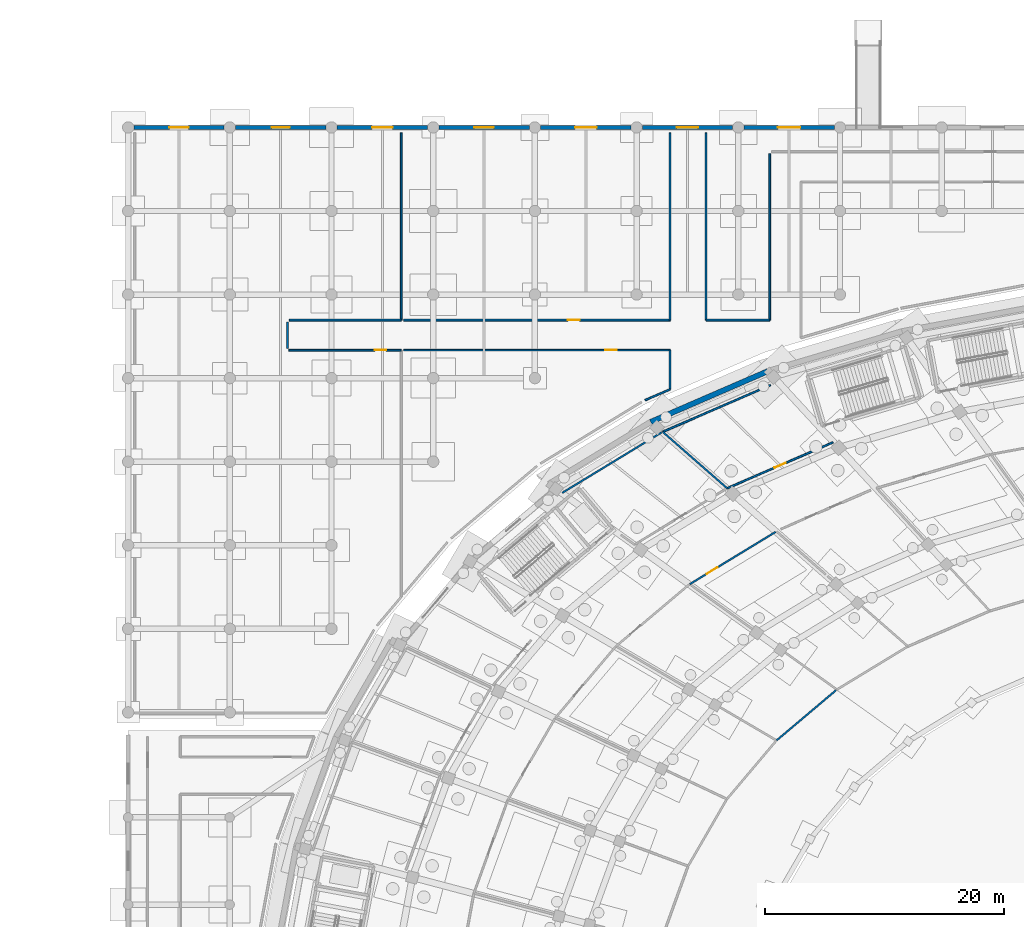
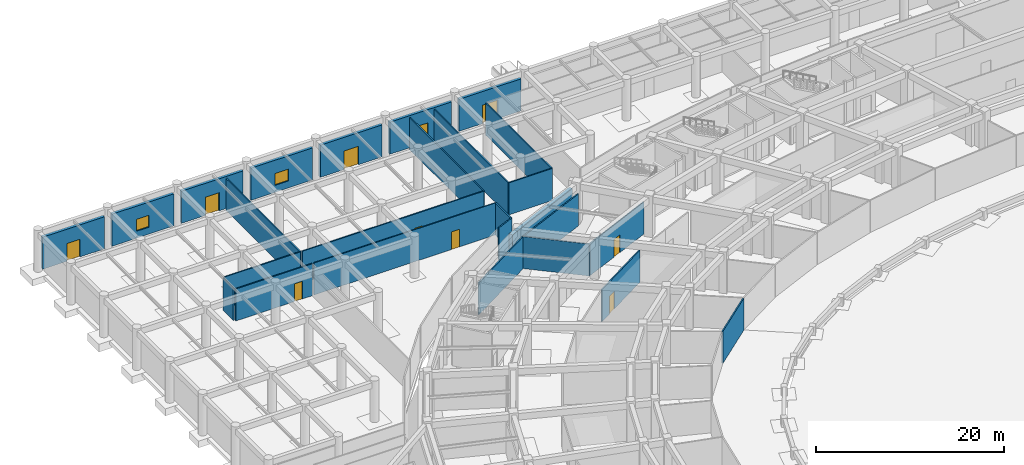
# One storey, part 57 of 88: 26 walls, 9 doors, 3 windows, 12 openings.
"""IFC4 building model written with IfcOpenShell, lengths in metres."""

from ifc_helpers import new_model, si_unit, direction, frame, frame_2d, origin, place, context, subcontext, project, spatial, rectangle, extrude, material, layer, layer_set, type_object, element, fill, save


model = new_model("IFC4")

# Units and contexts
model_context = context("Model", 3, precision=1e-05, world=origin(), true_north=direction((0.0, 1.0)))
body_context = subcontext(model_context, "Body", "Model", "MODEL_VIEW")
ifc_project = project(units=[si_unit("LENGTHUNIT", "METRE"), si_unit("AREAUNIT", "SQUARE_METRE"), si_unit("VOLUMEUNIT", "CUBIC_METRE"), si_unit("PLANEANGLEUNIT", "RADIAN"), si_unit("MASSUNIT", "GRAM", prefix="KILO")], contexts=[model_context])

# Site, building, storey
site_placement = place(None, origin())
site = spatial("IfcSite", under=ifc_project, at=site_placement, CompositionType="ELEMENT")
building_placement = place(site_placement, origin())
building = spatial("IfcBuilding", under=site, at=building_placement, Name="Mphavela Belvedere Stadium", CompositionType="ELEMENT")
storey_placement = place(building_placement, origin())
storey = spatial("IfcBuildingStorey", under=building, at=storey_placement, Name="L00", CompositionType="ELEMENT", Elevation=0.0)

# Wall, opening, door
ifc_material_1 = material(Name="Honed ashlar limestone masonry", Category="masonry")
ifc_layer_1 = layer(ifc_material_1, 0.35009765625)
ifc_layer_set_1 = layer_set([ifc_layer_1], Name="Honed ashlar limestone masonry")
wall_type_1 = type_object("IfcWallType", Name="WAL-EXT-ASHLAR-350", PredefinedType="STANDARD", material=ifc_layer_set_1)
wall_1_placement = place(storey_placement, frame((0.472900390625, 174.0, 0.0), z_axis=(0.0, 0.0, 1.0), x_axis=(1.0, 0.0, 0.0)))
wall_1 = element("IfcWall", 1, at=wall_1_placement, inside=storey, type_object=wall_type_1, Name="North Mast and Ceremonial End Forecourt outer facade bay L00-01", PredefinedType="STANDARD", context=body_context, shape_type="SweptSolid", body=[
    extrude(rectangle(XDim=7.572998046875, YDim=0.35009765625, at=frame_2d((3.78662109375, 0.0))), origin(), (0.0, 0.0, 1.0), 4.159912109375),
])
opening_1_placement = place(wall_1_placement, frame((2.986572265625, 0.0, 0.0)))
opening_1 = element("IfcOpeningElement", 2, at=opening_1_placement, cuts=wall_1, Name="Opening ED-039", PredefinedType="OPENING", context=body_context, shape_type="SweptSolid", body=[
    extrude(rectangle(XDim=1.60009765625, YDim=2.300048828125, at=frame_2d((0.800048828125, 1.14990234375))), frame((0.0, 0.18505859375, 0.0), z_axis=(0.0, -1.0, 0.0), x_axis=(1.0, 0.0, 0.0)), (0.0, 0.0, 1.0), 0.3701171875),
])
ifc_material_2 = material(Name="Glazed bronze-anodised steel exit doorset", Category="steel")
door_type_1 = type_object("IfcDoorType", Name="DR-EXT-07", OperationType="NOTDEFINED", PredefinedType="DOOR", material=ifc_material_2)
door_1_placement = place(opening_1_placement, origin())
door_1 = element("IfcDoor", 3, at=door_1_placement, inside=storey, type_object=door_type_1, Name="North Mast and Ceremonial End Forecourt ceremonial exit doorset ED-039", OperationType="DOUBLE_DOOR_SINGLE_SWING", OverallHeight=2.300048828125, OverallWidth=1.60009765625, PredefinedType="DOOR", context=body_context, shape_type="SweptSolid", body=[
    extrude(rectangle(XDim=1.60009765625, YDim=2.300048828125, at=frame_2d((0.800048828125, 1.14990234375))), frame((0.0, 0.02490234375, 0.0), z_axis=(0.0, -1.0, 0.0), x_axis=(1.0, 0.0, 0.0)), (0.0, 0.0, 1.0), 0.050048828125),
])
fill(opening_1, door_1)

# Wall, opening, window
wall_2_placement = place(storey_placement, frame((8.991943359375, 174.0, 0.0), z_axis=(0.0, 0.0, 1.0), x_axis=(1.0, 0.0, 0.0)))
wall_2 = element("IfcWall", 4, at=wall_2_placement, inside=storey, type_object=wall_type_1, Name="North Mast and Ceremonial End Forecourt outer facade bay L00-02", PredefinedType="STANDARD", context=body_context, shape_type="SweptSolid", body=[
    extrude(rectangle(XDim=7.572021484375, YDim=0.35009765625, at=frame_2d((3.7861328125, 0.0))), origin(), (0.0, 0.0, 1.0), 4.159912109375),
])
opening_2_placement = place(wall_2_placement, frame((3.02587890625, 0.0, 0.89990234375)))
opening_2 = element("IfcOpeningElement", 5, at=opening_2_placement, cuts=wall_2, Name="Opening W-136", PredefinedType="OPENING", context=body_context, shape_type="SweptSolid", body=[
    extrude(rectangle(XDim=1.52001953125, YDim=1.550048828125, at=frame_2d((0.760009765625, 0.77490234375))), frame((0.0, 0.18505859375, 0.0), z_axis=(0.0, -1.0, 0.0), x_axis=(1.0, 0.0, 0.0)), (0.0, 0.0, 1.0), 0.3701171875),
])
ifc_material_3 = material(Name="Bronze-anodised thermally broken aluminium window", Category="aluminium")
window_type_1 = type_object("IfcWindowType", Name="WIN-EXT-04", PartitioningType="SINGLE_PANEL", PredefinedType="WINDOW", material=ifc_material_3)
window_1_placement = place(opening_2_placement, origin())
window_1 = element("IfcWindow", 6, at=window_1_placement, inside=storey, type_object=window_type_1, Name="North Mast and Ceremonial End Forecourt classical window W-136", OverallHeight=1.550048828125, OverallWidth=1.52001953125, PartitioningType="SINGLE_PANEL", PredefinedType="WINDOW", context=body_context, shape_type="SweptSolid", body=[
    extrude(rectangle(XDim=1.52001953125, YDim=1.550048828125, at=frame_2d((0.760009765625, 0.77490234375))), frame((0.0, 0.030029296875, 0.0), z_axis=(0.0, -1.0, 0.0), x_axis=(1.0, 0.0, 0.0)), (0.0, 0.0, 1.0), 0.06005859375),
])
fill(opening_2, window_1)

# Wall, opening, door
wall_3_placement = place(storey_placement, frame((17.510009765625, 174.0, 0.0), z_axis=(0.0, 0.0, 1.0), x_axis=(1.0, 0.0, 0.0)))
wall_3 = element("IfcWall", 7, at=wall_3_placement, inside=storey, type_object=wall_type_1, Name="North Mast and Ceremonial End Forecourt outer facade bay L00-03", PredefinedType="STANDARD", context=body_context, shape_type="SweptSolid", body=[
    extrude(rectangle(XDim=7.572998046875, YDim=0.35009765625, at=frame_2d((3.78662109375, 0.0))), origin(), (0.0, 0.0, 1.0), 4.159912109375),
])
opening_3_placement = place(wall_3_placement, frame((2.9365234375, 0.0, 0.0)))
opening_3 = element("IfcOpeningElement", 8, at=opening_3_placement, cuts=wall_3, Name="Opening ED-040", PredefinedType="OPENING", context=body_context, shape_type="SweptSolid", body=[
    extrude(rectangle(XDim=1.699951171875, YDim=2.35009765625, at=frame_2d((0.85009765625, 1.175048828125))), frame((0.0, 0.18505859375, 0.0), z_axis=(0.0, -1.0, 0.0), x_axis=(1.0, 0.0, 0.0)), (0.0, 0.0, 1.0), 0.3701171875),
])
ifc_material_4 = material(Name="Glazed bronze-anodised steel exit doorset", Category="steel")
door_type_2 = type_object("IfcDoorType", Name="DR-EXT-08", OperationType="NOTDEFINED", PredefinedType="DOOR", material=ifc_material_4)
door_2_placement = place(opening_3_placement, origin())
door_2 = element("IfcDoor", 9, at=door_2_placement, inside=storey, type_object=door_type_2, Name="North Mast and Ceremonial End Forecourt ceremonial exit doorset ED-040", OperationType="DOUBLE_DOOR_SINGLE_SWING", OverallHeight=2.35009765625, OverallWidth=1.699951171875, PredefinedType="DOOR", context=body_context, shape_type="SweptSolid", body=[
    extrude(rectangle(XDim=1.699951171875, YDim=2.35009765625, at=frame_2d((0.85009765625, 1.175048828125))), frame((0.0, 0.02490234375, 0.0), z_axis=(0.0, -1.0, 0.0), x_axis=(1.0, 0.0, 0.0)), (0.0, 0.0, 1.0), 0.050048828125),
])
fill(opening_3, door_2)

# Wall, opening, window
wall_4_placement = place(storey_placement, frame((26.029052734375, 174.0, 0.0), z_axis=(0.0, 0.0, 1.0), x_axis=(1.0, 0.0, 0.0)))
wall_4 = element("IfcWall", 10, at=wall_4_placement, inside=storey, type_object=wall_type_1, Name="North Mast and Ceremonial End Forecourt outer facade bay L00-04", PredefinedType="STANDARD", context=body_context, shape_type="SweptSolid", body=[
    extrude(rectangle(XDim=7.572021484375, YDim=0.35009765625, at=frame_2d((3.7861328125, 0.0))), origin(), (0.0, 0.0, 1.0), 4.159912109375),
])
opening_4_placement = place(wall_4_placement, frame((2.9560546875, 0.0, 0.89990234375)))
opening_4 = element("IfcOpeningElement", 11, at=opening_4_placement, cuts=wall_4, Name="Opening W-137", PredefinedType="OPENING", context=body_context, shape_type="SweptSolid", body=[
    extrude(rectangle(XDim=1.659912109375, YDim=1.550048828125, at=frame_2d((0.830078125, 0.77490234375))), frame((0.0, 0.18505859375, 0.0), z_axis=(0.0, -1.0, 0.0), x_axis=(1.0, 0.0, 0.0)), (0.0, 0.0, 1.0), 0.3701171875),
])
ifc_material_5 = material(Name="Bronze-anodised thermally broken aluminium window", Category="aluminium")
window_type_2 = type_object("IfcWindowType", Name="WIN-EXT-05", PartitioningType="SINGLE_PANEL", PredefinedType="WINDOW", material=ifc_material_5)
window_2_placement = place(opening_4_placement, origin())
window_2 = element("IfcWindow", 12, at=window_2_placement, inside=storey, type_object=window_type_2, Name="North Mast and Ceremonial End Forecourt classical window W-137", OverallHeight=1.550048828125, OverallWidth=1.659912109375, PartitioningType="SINGLE_PANEL", PredefinedType="WINDOW", context=body_context, shape_type="SweptSolid", body=[
    extrude(rectangle(XDim=1.659912109375, YDim=1.550048828125, at=frame_2d((0.830078125, 0.77490234375))), frame((0.0, 0.030029296875, 0.0), z_axis=(0.0, -1.0, 0.0), x_axis=(1.0, 0.0, 0.0)), (0.0, 0.0, 1.0), 0.06005859375),
])
fill(opening_4, window_2)

# Wall, opening, door
wall_5_placement = place(storey_placement, frame((34.547119140625, 174.0, 0.0), z_axis=(0.0, 0.0, 1.0), x_axis=(1.0, 0.0, 0.0)))
wall_5 = element("IfcWall", 13, at=wall_5_placement, inside=storey, type_object=wall_type_1, Name="North Mast and Ceremonial End Forecourt outer facade bay L00-05", PredefinedType="STANDARD", context=body_context, shape_type="SweptSolid", body=[
    extrude(rectangle(XDim=7.572998046875, YDim=0.35009765625, at=frame_2d((3.78662109375, 0.0))), origin(), (0.0, 0.0, 1.0), 4.159912109375),
])
opening_5_placement = place(wall_5_placement, frame((2.886474609375, 0.0, 0.0)))
opening_5 = element("IfcOpeningElement", 14, at=opening_5_placement, cuts=wall_5, Name="Opening ED-041", PredefinedType="OPENING", context=body_context, shape_type="SweptSolid", body=[
    extrude(rectangle(XDim=1.800048828125, YDim=2.39990234375, at=frame_2d((0.89990234375, 1.199951171875))), frame((0.0, 0.18505859375, 0.0), z_axis=(0.0, -1.0, 0.0), x_axis=(1.0, 0.0, 0.0)), (0.0, 0.0, 1.0), 0.3701171875),
])
ifc_material_6 = material(Name="Glazed bronze-anodised steel exit doorset", Category="steel")
door_type_3 = type_object("IfcDoorType", Name="DR-EXT-01", OperationType="NOTDEFINED", PredefinedType="DOOR", material=ifc_material_6)
door_3_placement = place(opening_5_placement, origin())
door_3 = element("IfcDoor", 15, at=door_3_placement, inside=storey, type_object=door_type_3, Name="North Mast and Ceremonial End Forecourt ceremonial exit doorset ED-041", OperationType="DOUBLE_DOOR_SINGLE_SWING", OverallHeight=2.39990234375, OverallWidth=1.800048828125, PredefinedType="DOOR", context=body_context, shape_type="SweptSolid", body=[
    extrude(rectangle(XDim=1.800048828125, YDim=2.39990234375, at=frame_2d((0.89990234375, 1.199951171875))), frame((0.0, 0.02490234375, 0.0), z_axis=(0.0, -1.0, 0.0), x_axis=(1.0, 0.0, 0.0)), (0.0, 0.0, 1.0), 0.050048828125),
])
fill(opening_5, door_3)

# Wall, opening, window
wall_6_placement = place(storey_placement, frame((43.06591796875, 174.0, 0.0), z_axis=(0.0, 0.0, 1.0), x_axis=(1.0, 0.0, 0.0)))
wall_6 = element("IfcWall", 16, at=wall_6_placement, inside=storey, type_object=wall_type_1, Name="North Mast and Ceremonial End Forecourt outer facade bay L00-06", PredefinedType="STANDARD", context=body_context, shape_type="SweptSolid", body=[
    extrude(rectangle(XDim=7.572021484375, YDim=0.35009765625, at=frame_2d((3.7861328125, 0.0))), origin(), (0.0, 0.0, 1.0), 4.159912109375),
])
opening_6_placement = place(wall_6_placement, frame((2.885986328125, 0.0, 0.89990234375)))
opening_6 = element("IfcOpeningElement", 17, at=opening_6_placement, cuts=wall_6, Name="Opening W-138", PredefinedType="OPENING", context=body_context, shape_type="SweptSolid", body=[
    extrude(rectangle(XDim=1.800048828125, YDim=1.550048828125, at=frame_2d((0.89990234375, 0.77490234375))), frame((0.0, 0.18505859375, 0.0), z_axis=(0.0, -1.0, 0.0), x_axis=(1.0, 0.0, 0.0)), (0.0, 0.0, 1.0), 0.3701171875),
])
ifc_material_7 = material(Name="Bronze-anodised thermally broken aluminium window", Category="aluminium")
window_type_3 = type_object("IfcWindowType", Name="WIN-EXT-06", PartitioningType="SINGLE_PANEL", PredefinedType="WINDOW", material=ifc_material_7)
window_3_placement = place(opening_6_placement, origin())
window_3 = element("IfcWindow", 18, at=window_3_placement, inside=storey, type_object=window_type_3, Name="North Mast and Ceremonial End Forecourt classical window W-138", OverallHeight=1.550048828125, OverallWidth=1.800048828125, PartitioningType="SINGLE_PANEL", PredefinedType="WINDOW", context=body_context, shape_type="SweptSolid", body=[
    extrude(rectangle(XDim=1.800048828125, YDim=1.550048828125, at=frame_2d((0.89990234375, 0.77490234375))), frame((0.0, 0.030029296875, 0.0), z_axis=(0.0, -1.0, 0.0), x_axis=(1.0, 0.0, 0.0)), (0.0, 0.0, 1.0), 0.06005859375),
])
fill(opening_6, window_3)

# Wall, opening, door
wall_7_placement = place(storey_placement, frame((51.583984375, 174.0, 0.0), z_axis=(0.0, 0.0, 1.0), x_axis=(1.0, 0.0, 0.0)))
wall_7 = element("IfcWall", 19, at=wall_7_placement, inside=storey, type_object=wall_type_1, Name="North Mast and Ceremonial End Forecourt outer facade bay L00-07", PredefinedType="STANDARD", context=body_context, shape_type="SweptSolid", body=[
    extrude(rectangle(XDim=7.572998046875, YDim=0.35009765625, at=frame_2d((3.78662109375, 0.0))), origin(), (0.0, 0.0, 1.0), 4.159912109375),
])
opening_7_placement = place(wall_7_placement, frame((2.83642578125, 0.0, 0.0)))
opening_7 = element("IfcOpeningElement", 20, at=opening_7_placement, cuts=wall_7, Name="Opening ED-042", PredefinedType="OPENING", context=body_context, shape_type="SweptSolid", body=[
    extrude(rectangle(XDim=1.89990234375, YDim=2.39990234375, at=frame_2d((0.949951171875, 1.199951171875))), frame((0.0, 0.18505859375, 0.0), z_axis=(0.0, -1.0, 0.0), x_axis=(1.0, 0.0, 0.0)), (0.0, 0.0, 1.0), 0.3701171875),
])
ifc_material_8 = material(Name="Glazed bronze-anodised steel exit doorset", Category="steel")
door_type_4 = type_object("IfcDoorType", Name="DR-EXT-02", OperationType="NOTDEFINED", PredefinedType="DOOR", material=ifc_material_8)
door_4_placement = place(opening_7_placement, origin())
door_4 = element("IfcDoor", 21, at=door_4_placement, inside=storey, type_object=door_type_4, Name="North Mast and Ceremonial End Forecourt ceremonial exit doorset ED-042", OperationType="DOUBLE_DOOR_SINGLE_SWING", OverallHeight=2.39990234375, OverallWidth=1.89990234375, PredefinedType="DOOR", context=body_context, shape_type="SweptSolid", body=[
    extrude(rectangle(XDim=1.89990234375, YDim=2.39990234375, at=frame_2d((0.949951171875, 1.199951171875))), frame((0.0, 0.02490234375, 0.0), z_axis=(0.0, -1.0, 0.0), x_axis=(1.0, 0.0, 0.0)), (0.0, 0.0, 1.0), 0.050048828125),
])
fill(opening_7, door_4)

ifc_material_9 = material(Name="Moisture-resistant sanitary partition assembly")
ifc_layer_2 = layer(ifc_material_9, 0.125)
ifc_layer_set_2 = layer_set([ifc_layer_2], Name="Moisture-resistant sanitary partition assembly")
wall_type_2 = type_object("IfcWallType", Name="WAL-PART-125", PredefinedType="PARTITIONING", material=ifc_layer_set_2)
wall_8_placement = place(storey_placement, frame((23.070068359375, 155.340087890625, 0.0), z_axis=(0.0, 0.0, 1.0), x_axis=(1.0, 0.0, 0.0)))
wall_8 = element("IfcWall", 22, at=wall_8_placement, inside=storey, type_object=wall_type_2, Name="Room L00-182 corridor partition", PredefinedType="PARTITIONING", context=body_context, shape_type="SweptSolid", body=[
    extrude(rectangle(XDim=22.31982421875, YDim=0.125, at=frame_2d((11.159912109375, 0.0))), origin(), (0.0, 0.0, 1.0), 4.14990234375),
])
opening_8_placement = place(wall_8_placement, frame((16.8798828125, 0.0, 0.0)))
opening_8 = element("IfcOpeningElement", 23, at=opening_8_placement, cuts=wall_8, Name="Opening ID-423", PredefinedType="OPENING", context=body_context, shape_type="SweptSolid", body=[
    extrude(rectangle(XDim=0.97998046875, YDim=2.300048828125, at=frame_2d((0.489990234375, 1.14990234375))), frame((0.0, 0.072509765625, 0.0), z_axis=(0.0, -1.0, 0.0), x_axis=(1.0, 0.0, 0.0)), (0.0, 0.0, 1.0), 0.14501953125),
])
ifc_material_10 = material(Name="Hardwood acoustic timber doorset", Category="wood")
door_type_5 = type_object("IfcDoorType", Name="DR-INT-27", OperationType="NOTDEFINED", PredefinedType="DOOR", material=ifc_material_10)
door_5_placement = place(opening_8_placement, origin())
door_5 = element("IfcDoor", 24, at=door_5_placement, inside=storey, type_object=door_type_5, Name="Room L00-182 entrance door ID-423", OperationType="SINGLE_SWING_LEFT", OverallHeight=2.300048828125, OverallWidth=0.97998046875, PredefinedType="DOOR", context=body_context, shape_type="SweptSolid", body=[
    extrude(rectangle(XDim=0.97998046875, YDim=2.300048828125, at=frame_2d((0.489990234375, 1.14990234375))), frame((0.0, 0.02490234375, 0.0), z_axis=(0.0, -1.0, 0.0), x_axis=(1.0, 0.0, 0.0)), (0.0, 0.0, 1.0), 0.050048828125),
])
fill(opening_8, door_5)

ifc_material_11 = material(Name="Acoustic gypsum stud partition assembly")
ifc_layer_3 = layer(ifc_material_11, 0.14990234375)
ifc_layer_set_3 = layer_set([ifc_layer_3], Name="Acoustic gypsum stud partition assembly")
wall_type_3 = type_object("IfcWallType", Name="WAL-PART-150", PredefinedType="PARTITIONING", material=ifc_layer_set_3)
wall_9_placement = place(storey_placement, frame((59.0537109375, 147.61865234375, 0.0), z_axis=(0.0, 0.0, 1.0), x_axis=(-0.917508957037, -0.39771511633, 0.0)))
wall_9 = element("IfcWall", 25, at=wall_9_placement, inside=storey, type_object=wall_type_3, Name="Room L00-77 corridor partition", PredefinedType="PARTITIONING", context=body_context, shape_type="SweptSolid", body=[
    extrude(rectangle(XDim=9.67138671875, YDim=0.14990234375, at=frame_2d((4.835693359375, 0.0))), origin(), (0.0, 0.0, 1.0), 4.14990234375),
])
opening_9_placement = place(wall_9_placement, frame((4.32568359375, 0.0, 0.0)))
opening_9 = element("IfcOpeningElement", 26, at=opening_9_placement, cuts=wall_9, Name="Opening ID-028", PredefinedType="OPENING", context=body_context, shape_type="SweptSolid", body=[
    extrude(rectangle(XDim=1.02001953125, YDim=2.300048828125, at=frame_2d((0.510009765625, 1.14990234375))), frame((0.0, 0.0849609375, 0.0), z_axis=(0.0, -1.0, 0.0), x_axis=(1.0, 0.0, 0.0)), (0.0, 0.0, 1.0), 0.169921875),
])
ifc_material_12 = material(Name="Hardwood acoustic timber doorset", Category="wood")
door_type_6 = type_object("IfcDoorType", Name="DR-INT-28", OperationType="NOTDEFINED", PredefinedType="DOOR", material=ifc_material_12)
door_6_placement = place(opening_9_placement, origin())
door_6 = element("IfcDoor", 27, at=door_6_placement, inside=storey, type_object=door_type_6, Name="Room L00-77 entrance door ID-028", OperationType="SINGLE_SWING_RIGHT", OverallHeight=2.300048828125, OverallWidth=1.02001953125, PredefinedType="DOOR", context=body_context, shape_type="SweptSolid", body=[
    extrude(rectangle(XDim=1.02001953125, YDim=2.300048828125, at=frame_2d((0.510009765625, 1.14990234375))), frame((0.0, 0.02490234375, 0.0), z_axis=(0.0, -1.0, 0.0), x_axis=(1.0, 0.0, 0.0)), (0.0, 0.0, 1.0), 0.050048828125),
])
fill(opening_9, door_6)

wall_10_placement = place(storey_placement, frame((47.04345703125, 135.73974609375, 0.0), z_axis=(0.0, 0.0, 1.0), x_axis=(0.854330104408, 0.519730769439, 0.0)))
wall_10 = element("IfcWall", 28, at=wall_10_placement, inside=storey, type_object=wall_type_3, Name="Room L00-79 corridor partition", PredefinedType="PARTITIONING", context=body_context, shape_type="SweptSolid", body=[
    extrude(rectangle(XDim=8.420166015625, YDim=0.14990234375, at=frame_2d((4.2099609375, 0.0))), origin(), (0.0, 0.0, 1.0), 4.14990234375),
])
opening_10_placement = place(wall_10_placement, frame((1.6640625, 0.0, 0.0)))
opening_10 = element("IfcOpeningElement", 29, at=opening_10_placement, cuts=wall_10, Name="Opening ID-029", PredefinedType="OPENING", context=body_context, shape_type="SweptSolid", body=[
    extrude(rectangle(XDim=1.06005859375, YDim=2.300048828125, at=frame_2d((0.530029296875, 1.14990234375))), frame((0.0, 0.0849609375, 0.0), z_axis=(0.0, -1.0, 0.0), x_axis=(1.0, 0.0, 0.0)), (0.0, 0.0, 1.0), 0.169921875),
])
ifc_material_13 = material(Name="Hardwood acoustic timber doorset", Category="wood")
door_type_7 = type_object("IfcDoorType", Name="DR-INT-29", OperationType="NOTDEFINED", PredefinedType="DOOR", material=ifc_material_13)
door_7_placement = place(opening_10_placement, origin())
door_7 = element("IfcDoor", 30, at=door_7_placement, inside=storey, type_object=door_type_7, Name="Room L00-79 entrance door ID-029", OperationType="SINGLE_SWING_LEFT", OverallHeight=2.300048828125, OverallWidth=1.06005859375, PredefinedType="DOOR", context=body_context, shape_type="SweptSolid", body=[
    extrude(rectangle(XDim=1.06005859375, YDim=2.300048828125, at=frame_2d((0.530029296875, 1.14990234375))), frame((0.0, 0.02490234375, 0.0), z_axis=(0.0, -1.0, 0.0), x_axis=(1.0, 0.0, 0.0)), (0.0, 0.0, 1.0), 0.050048828125),
])
fill(opening_10, door_7)

wall_11_placement = place(storey_placement, frame((13.46875, 155.343017578125, 0.0), z_axis=(0.0, 0.0, 1.0), x_axis=(0.999999951445, -0.000311623544, 0.0)))
wall_11 = element("IfcWall", 31, at=wall_11_placement, inside=storey, type_object=wall_type_3, Name="Room L00-181 corridor partition", PredefinedType="PARTITIONING", context=body_context, shape_type="SweptSolid", body=[
    extrude(rectangle(XDim=9.4013671875, YDim=0.14990234375, at=frame_2d((4.70068359375, 0.0))), origin(), (0.0, 0.0, 1.0), 4.14990234375),
])
opening_11_placement = place(wall_11_placement, frame((7.20263671875, 0.0, 0.0)))
opening_11 = element("IfcOpeningElement", 32, at=opening_11_placement, cuts=wall_11, Name="Opening ID-422", PredefinedType="OPENING", context=body_context, shape_type="SweptSolid", body=[
    extrude(rectangle(XDim=0.93994140625, YDim=2.300048828125, at=frame_2d((0.469970703125, 1.14990234375))), frame((0.0, 0.0849609375, 0.0), z_axis=(0.0, -1.0, 0.0), x_axis=(1.0, 0.0, 0.0)), (0.0, 0.0, 1.0), 0.169921875),
])
ifc_material_14 = material(Name="Hardwood acoustic timber doorset", Category="wood")
door_type_8 = type_object("IfcDoorType", Name="DR-INT-26", OperationType="NOTDEFINED", PredefinedType="DOOR", material=ifc_material_14)
door_8_placement = place(opening_11_placement, origin())
door_8 = element("IfcDoor", 33, at=door_8_placement, inside=storey, type_object=door_type_8, Name="Room L00-181 entrance door ID-422", OperationType="SINGLE_SWING_RIGHT", OverallHeight=2.300048828125, OverallWidth=0.93994140625, PredefinedType="DOOR", context=body_context, shape_type="SweptSolid", body=[
    extrude(rectangle(XDim=0.93994140625, YDim=2.300048828125, at=frame_2d((0.469970703125, 1.14990234375))), frame((0.0, 0.02490234375, 0.0), z_axis=(0.0, -1.0, 0.0), x_axis=(1.0, 0.0, 0.0)), (0.0, 0.0, 1.0), 0.050048828125),
])
fill(opening_11, door_8)

wall_12_placement = place(storey_placement, frame((45.389892578125, 157.860107421875, 0.0), z_axis=(0.0, 0.0, 1.0), x_axis=(-1.0, 0.0, 0.0)))
wall_12 = element("IfcWall", 34, at=wall_12_placement, inside=storey, type_object=wall_type_3, Name="Room L00-183 corridor partition", PredefinedType="PARTITIONING", context=body_context, shape_type="SweptSolid", body=[
    extrude(rectangle(XDim=22.31982421875, YDim=0.14990234375, at=frame_2d((11.159912109375, 0.0))), origin(), (0.0, 0.0, 1.0), 4.14990234375),
])
opening_12_placement = place(wall_12_placement, frame((7.551025390625, 0.0, 0.0)))
opening_12 = element("IfcOpeningElement", 35, at=opening_12_placement, cuts=wall_12, Name="Opening ID-424", PredefinedType="OPENING", context=body_context, shape_type="SweptSolid", body=[
    extrude(rectangle(XDim=1.02001953125, YDim=2.300048828125, at=frame_2d((0.510009765625, 1.14990234375))), frame((0.0, 0.0849609375, 0.0), z_axis=(0.0, -1.0, 0.0), x_axis=(1.0, 0.0, 0.0)), (0.0, 0.0, 1.0), 0.169921875),
])
door_9_placement = place(opening_12_placement, origin())
door_9 = element("IfcDoor", 36, at=door_9_placement, inside=storey, type_object=door_type_6, Name="Room L00-183 entrance door ID-424", OperationType="SINGLE_SWING_RIGHT", OverallHeight=2.300048828125, OverallWidth=1.02001953125, PredefinedType="DOOR", context=body_context, shape_type="SweptSolid", body=[
    extrude(rectangle(XDim=1.02001953125, YDim=2.300048828125, at=frame_2d((0.510009765625, 1.14990234375))), frame((0.0, 0.02490234375, 0.0), z_axis=(0.0, -1.0, 0.0), x_axis=(1.0, 0.0, 0.0)), (0.0, 0.0, 1.0), 0.050048828125),
])
fill(opening_12, door_9)

# Walls
wall_13_placement = place(storey_placement, frame((50.18017578125, 143.772216796875, 0.0), z_axis=(0.0, 0.0, 1.0), x_axis=(-0.752576694707, 0.658504607869, 0.0)))
element("IfcWall", 37, at=wall_13_placement, inside=storey, type_object=wall_type_3, Name="Room divider partition L00-0050", PredefinedType="PARTITIONING", context=body_context, shape_type="SweptSolid", body=[
    extrude(rectangle(XDim=7.178466796875, YDim=0.14990234375, at=frame_2d((3.58935546875, 0.0))), origin(), (0.0, 0.0, 1.0), 4.14990234375),
])
wall_14_placement = place(storey_placement, frame((44.77783203125, 148.499267578125, 0.0), z_axis=(0.0, 0.0, 1.0), x_axis=(0.917505556499, 0.397722961109, 0.0)))
element("IfcWall", 38, at=wall_14_placement, inside=storey, type_object=wall_type_3, Name="Room divider partition L00-0051", PredefinedType="PARTITIONING", context=body_context, shape_type="SweptSolid", body=[
    extrude(rectangle(XDim=9.844970703125, YDim=0.14990234375, at=frame_2d((4.92236328125, 0.0))), origin(), (0.0, 0.0, 1.0), 4.14990234375),
])
wall_15_placement = place(storey_placement, frame((36.364990234375, 143.390869140625, 0.0), z_axis=(0.0, 0.0, 1.0), x_axis=(0.854323689683, 0.519741313777, 0.0)))
element("IfcWall", 39, at=wall_15_placement, inside=storey, type_object=wall_type_3, Name="Room divider partition L00-0054", PredefinedType="PARTITIONING", context=body_context, shape_type="SweptSolid", body=[
    extrude(rectangle(XDim=9.755859375, YDim=0.14990234375, at=frame_2d((4.8779296875, 0.0))), origin(), (0.0, 0.0, 1.0), 4.14990234375),
])
wall_16_placement = place(storey_placement, frame((59.302001953125, 126.858154296875, 0.0), z_axis=(0.0, 0.0, 1.0), x_axis=(-0.764256908649, -0.644911914592, 0.0)))
element("IfcWall", 40, at=wall_16_placement, inside=storey, type_object=wall_type_3, Name="Room divider partition L00-0056", PredefinedType="PARTITIONING", context=body_context, shape_type="SweptSolid", body=[
    extrude(rectangle(XDim=6.525634765625, YDim=0.14990234375, at=frame_2d((3.2626953125, 0.0))), origin(), (0.0, 0.0, 1.0), 4.14990234375),
])
wall_17_placement = place(storey_placement, frame((22.8701171875, 173.550048828125, 0.0), z_axis=(0.0, 0.0, 1.0), x_axis=(0.0, -1.0, 0.0)))
element("IfcWall", 41, at=wall_17_placement, inside=storey, type_object=wall_type_3, Name="Room divider partition L00-0887", PredefinedType="PARTITIONING", context=body_context, shape_type="SweptSolid", body=[
    extrude(rectangle(XDim=15.68994140625, YDim=0.14990234375, at=frame_2d((7.844970703125, 0.0))), origin(), (0.0, 0.0, 1.0), 4.14990234375),
])
wall_18_placement = place(storey_placement, frame((22.8701171875, 157.860107421875, 0.0), z_axis=(0.0, 0.0, 1.0), x_axis=(-1.0, 0.0, 0.0)))
element("IfcWall", 42, at=wall_18_placement, inside=storey, type_object=wall_type_3, Name="Room divider partition L00-0888", PredefinedType="PARTITIONING", context=body_context, shape_type="SweptSolid", body=[
    extrude(rectangle(XDim=9.3701171875, YDim=0.14990234375, at=frame_2d((4.68505859375, 0.0))), origin(), (0.0, 0.0, 1.0), 4.14990234375),
])
wall_19_placement = place(storey_placement, frame((13.340087890625, 157.699951171875, 0.0), z_axis=(0.0, 0.0, 1.0), x_axis=(0.000330578494, -0.999999945359, 0.0)))
element("IfcWall", 43, at=wall_19_placement, inside=storey, type_object=wall_type_3, Name="Room divider partition L00-0889", PredefinedType="PARTITIONING", context=body_context, shape_type="SweptSolid", body=[
    extrude(rectangle(XDim=2.215576171875, YDim=0.14990234375, at=frame_2d((1.10791015625, 0.0))), origin(), (0.0, 0.0, 1.0), 4.14990234375),
])
wall_20_placement = place(storey_placement, frame((45.389892578125, 155.340087890625, 0.0), z_axis=(0.0, 0.0, 1.0), x_axis=(0.0, -1.0, 0.0)))
element("IfcWall", 44, at=wall_20_placement, inside=storey, type_object=wall_type_3, Name="Room divider partition L00-0895", PredefinedType="PARTITIONING", context=body_context, shape_type="SweptSolid", body=[
    extrude(rectangle(XDim=3.283447265625, YDim=0.14990234375, at=frame_2d((1.6416015625, 0.0))), origin(), (0.0, 0.0, 1.0), 4.14990234375),
])
wall_21_placement = place(storey_placement, frame((45.389892578125, 152.056640625, 0.0), z_axis=(0.0, 0.0, 1.0), x_axis=(-0.917454774934, -0.397840088415, 0.0)))
element("IfcWall", 45, at=wall_21_placement, inside=storey, type_object=wall_type_3, Name="Room divider partition L00-0896", PredefinedType="PARTITIONING", context=body_context, shape_type="SweptSolid", body=[
    extrude(rectangle(XDim=2.267578125, YDim=0.14990234375, at=frame_2d((1.1337890625, 0.0))), origin(), (0.0, 0.0, 1.0), 4.14990234375),
])
wall_22_placement = place(storey_placement, frame((45.389892578125, 173.550048828125, 0.0), z_axis=(0.0, 0.0, 1.0), x_axis=(0.0, -1.0, 0.0)))
element("IfcWall", 46, at=wall_22_placement, inside=storey, type_object=wall_type_3, Name="Room divider partition L00-0897", PredefinedType="PARTITIONING", context=body_context, shape_type="SweptSolid", body=[
    extrude(rectangle(XDim=15.68994140625, YDim=0.14990234375, at=frame_2d((7.844970703125, 0.0))), origin(), (0.0, 0.0, 1.0), 4.14990234375),
])
wall_23_placement = place(storey_placement, frame((53.739990234375, 171.800048828125, 0.0), z_axis=(0.0, 0.0, 1.0), x_axis=(0.0, -1.0, 0.0)))
element("IfcWall", 47, at=wall_23_placement, inside=storey, type_object=wall_type_3, Name="Room divider partition L00-0932", PredefinedType="PARTITIONING", context=body_context, shape_type="SweptSolid", body=[
    extrude(rectangle(XDim=13.93994140625, YDim=0.14990234375, at=frame_2d((6.969970703125, 0.0))), origin(), (0.0, 0.0, 1.0), 4.14990234375),
])
wall_24_placement = place(storey_placement, frame((53.739990234375, 157.860107421875, 0.0), z_axis=(0.0, 0.0, 1.0), x_axis=(-1.0, 0.0, 0.0)))
element("IfcWall", 48, at=wall_24_placement, inside=storey, type_object=wall_type_3, Name="Room divider partition L00-0933", PredefinedType="PARTITIONING", context=body_context, shape_type="SweptSolid", body=[
    extrude(rectangle(XDim=5.330078125, YDim=0.14990234375, at=frame_2d((2.6650390625, 0.0))), origin(), (0.0, 0.0, 1.0), 4.14990234375),
])
wall_25_placement = place(storey_placement, frame((48.409912109375, 157.860107421875, 0.0), z_axis=(0.0, 0.0, 1.0), x_axis=(0.0, 1.0, 0.0)))
element("IfcWall", 49, at=wall_25_placement, inside=storey, type_object=wall_type_3, Name="Room divider partition L00-0934", PredefinedType="PARTITIONING", context=body_context, shape_type="SweptSolid", body=[
    extrude(rectangle(XDim=15.68994140625, YDim=0.14990234375, at=frame_2d((7.844970703125, 0.0))), origin(), (0.0, 0.0, 1.0), 4.14990234375),
])
ifc_material_15 = material(Name="Concrete C40/50", Category="concrete")
ifc_layer_4 = layer(ifc_material_15, 0.449951171875)
ifc_layer_set_4 = layer_set([ifc_layer_4], Name="Concrete C40/50")
wall_type_4 = type_object("IfcWallType", Name="WALL-RETAINING-450", PredefinedType="USERDEFINED", material=ifc_layer_set_4)
wall_26_placement = place(storey_placement, frame((53.6025390625, 153.590087890625, 0.0), z_axis=(0.0, 0.0, 1.0), x_axis=(-0.917502700529, -0.397729549471, 0.0)))
element("IfcWall", 50, at=wall_26_placement, inside=storey, type_object=wall_type_4, Name="Uphill earth-bank retaining wall 17", ObjectType="RETAININGWALL", PredefinedType="USERDEFINED", context=body_context, shape_type="SweptSolid", body=[
    extrude(rectangle(XDim=10.71630859375, YDim=0.449951171875, at=frame_2d((5.358154296875, 0.0))), origin(), (0.0, 0.0, 1.0), 4.25),
])

save(model, "model.ifc")
